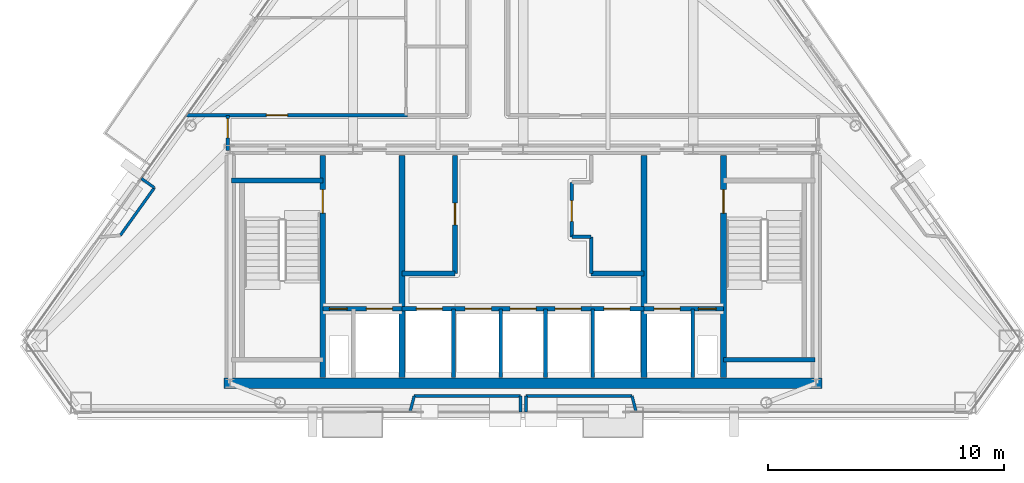
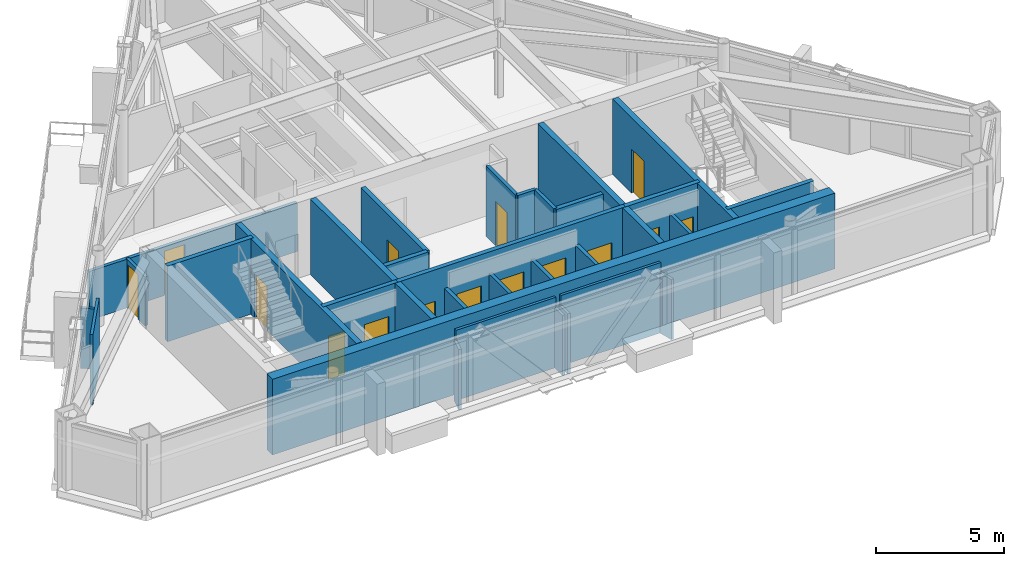
# One storey, part 8 of 12: 31 walls, 15 doors, 15 openings.
"""IFC4 building model written with IfcOpenShell, lengths in metres."""

from ifc_helpers import new_model, si_unit, direction, frame, frame_2d, origin, place, context, subcontext, project, spatial, rectangle, extrude, material, layer, layer_set, type_object, element, fill, save


model = new_model("IFC4")

# Units and contexts
model_context = context("Model", 3, precision=1e-05, world=origin(), true_north=direction((0.0, 1.0)))
body_context = subcontext(model_context, "Body", "Model", "MODEL_VIEW")
ifc_project = project(units=[si_unit("LENGTHUNIT", "METRE"), si_unit("AREAUNIT", "SQUARE_METRE"), si_unit("VOLUMEUNIT", "CUBIC_METRE"), si_unit("PLANEANGLEUNIT", "RADIAN"), si_unit("MASSUNIT", "GRAM", prefix="KILO")], contexts=[model_context])

# Site, building, storey
site_placement = place(None, origin())
site = spatial("IfcSite", under=ifc_project, at=site_placement, CompositionType="ELEMENT")
building_placement = place(site_placement, origin())
building = spatial("IfcBuilding", under=site, at=building_placement, Name="Talgorran Terracotta Tower", CompositionType="ELEMENT")
storey_placement = place(building_placement, frame((0.0, 0.0, 263.39990234375)))
storey = spatial("IfcBuildingStorey", under=building, at=storey_placement, Name="L69", CompositionType="ELEMENT", Elevation=263.39990234375)

# Walls
ifc_material_1 = material(Name="Concrete C50/60", Category="concrete")
ifc_layer_1 = layer(ifc_material_1, 0.199951171875, Name="WT_CORE_200")
ifc_layer_set_1 = layer_set([ifc_layer_1], Name="Concrete C50/60")
wall_type_1 = type_object("IfcWallType", Name="WT_CORE_200", PredefinedType="SOLIDWALL", material=ifc_layer_set_1)
for number, where, z_axis, x_axis, name in (
    (1, (-12.35009765625, -5.52001953125, 0.0), (0.0, 0.0, 1.0), (1.0, 0.0, 0.0), "WL-L69-CW-ST1-N"),
    (2, (8.47998046875, -13.10009765625, 0.0), (0.0, 0.0, 1.0), (1.0, 0.0, 0.0), "WL-L69-CW-ST2-S"),
):
    element("IfcWall", number, at=place(storey_placement, frame(where, z_axis=z_axis, x_axis=x_axis)), inside=storey, type_object=wall_type_1, Name=name, PredefinedType="SOLIDWALL", context=body_context, shape_type="SweptSolid", body=[
        extrude(rectangle(XDim=3.8701171875, YDim=0.199951171875, at=frame_2d((1.93505859375, 0.0))), origin(), (0.0, 0.0, 1.0), 3.60009765625),
    ])

# Wall, openings, doors
wall_1_placement = place(storey_placement, frame((-8.47998046875, -10.949951171875, 0.0), z_axis=(0.0, 0.0, 1.0), x_axis=(1.0, 0.0, 0.0)))
wall_1 = element("IfcWall", 3, at=wall_1_placement, inside=storey, type_object=wall_type_1, Name="WL-L69-CW-H-SBW", PredefinedType="SOLIDWALL", context=body_context, shape_type="SweptSolid", body=[
    extrude(rectangle(XDim=3.35986328125, YDim=0.199951171875, at=frame_2d((1.679931640625, 0.0))), origin(), (0.0, 0.0, 1.0), 3.60009765625),
])
opening_1_placement = place(wall_1_placement, frame((0.280029296875, 0.0, 0.0)))
opening_1 = element("IfcOpeningElement", 4, at=opening_1_placement, cuts=wall_1, Name="Opening DR-RSW", PredefinedType="OPENING", context=body_context, shape_type="SweptSolid", body=[
    extrude(rectangle(XDim=0.756, YDim=2.054048828125, at=frame_2d((0.375, 1.027099609375))), frame((0.0, 0.10986328125, 0.0), z_axis=(0.0, -1.0, 0.0), x_axis=(1.0, 0.0, 0.0)), (0.0, 0.0, 1.0), 0.219970703125),
])
opening_2_placement = place(wall_1_placement, frame((1.85009765625, 0.0, 0.0)))
opening_2 = element("IfcOpeningElement", 5, at=opening_2_placement, cuts=wall_1, Name="Opening LD-FFL1", PredefinedType="OPENING", context=body_context, shape_type="SweptSolid", body=[
    extrude(rectangle(XDim=1.10609765625, YDim=2.10409765625, at=frame_2d((0.550048828125, 1.052001953125))), frame((0.0, 0.10986328125, 0.0), z_axis=(0.0, -1.0, 0.0), x_axis=(1.0, 0.0, 0.0)), (0.0, 0.0, 1.0), 0.219970703125),
])
ifc_material_2 = material(Name="Brushed Stainless Steel Grade 304", Category="steel")
door_type_1 = type_object("IfcDoorType", Name="DT_LIFT_LD1100", OperationType="DOUBLE_DOOR_SLIDING", PredefinedType="DOOR", material=ifc_material_2)
door_1_placement = place(opening_2_placement, origin())
door_1 = element("IfcDoor", 6, at=door_1_placement, inside=storey, type_object=door_type_1, Name="L69 Lift Landing Door LD-FFL1", OperationType="DOUBLE_DOOR_SLIDING", OverallHeight=2.10009765625, OverallWidth=1.10009765625, PredefinedType="DOOR", context=body_context, shape_type="SweptSolid", body=[
    extrude(rectangle(XDim=1.10009765625, YDim=2.10009765625, at=frame_2d((0.550048828125, 1.050048828125))), frame((0.0, 0.02490234375, 0.0), z_axis=(0.0, -1.0, 0.0), x_axis=(1.0, 0.0, 0.0)), (0.0, 0.0, 1.0), 0.050048828125),
])
fill(opening_2, door_1)
ifc_material_3 = material(Name="Fire-Rated Pressed Steel", Category="steel")
door_type_2 = type_object("IfcDoorType", Name="DT_RISER_750", OperationType="NOTDEFINED", PredefinedType="DOOR", material=ifc_material_3)
door_2_placement = place(opening_1_placement, origin())
door_2 = element("IfcDoor", 7, at=door_2_placement, inside=storey, type_object=door_type_2, Name="DR-RSW", OperationType="SINGLE_SWING_LEFT", OverallHeight=2.050048828125, OverallWidth=0.75, PredefinedType="DOOR", context=body_context, shape_type="SweptSolid", body=[
    extrude(rectangle(XDim=0.75, YDim=2.050048828125, at=frame_2d((0.375, 1.02490234375))), frame((0.0, 0.02490234375, 0.0), z_axis=(0.0, -1.0, 0.0), x_axis=(1.0, 0.0, 0.0)), (0.0, 0.0, 1.0), 0.050048828125),
])
fill(opening_1, door_2)

wall_2_placement = place(storey_placement, frame((-5.1201171875, -10.949951171875, 0.0), z_axis=(0.0, 0.0, 1.0), x_axis=(1.0, 0.0, 0.0)))
wall_2 = element("IfcWall", 8, at=wall_2_placement, inside=storey, type_object=wall_type_1, Name="WL-L69-CW-H-SBC", PredefinedType="SOLIDWALL", context=body_context, shape_type="SweptSolid", body=[
    extrude(rectangle(XDim=10.240234375, YDim=0.199951171875, at=frame_2d((5.1201171875, 0.0))), origin(), (0.0, 0.0, 1.0), 3.60009765625),
])
opening_3_placement = place(wall_2_placement, frame((0.60009765625, 0.0, 0.0)))
opening_3 = element("IfcOpeningElement", 9, at=opening_3_placement, cuts=wall_2, Name="Opening LD-OB1", PredefinedType="OPENING", context=body_context, shape_type="SweptSolid", body=[
    extrude(rectangle(XDim=1.10609765625, YDim=2.10409765625, at=frame_2d((0.550048828125, 1.052001953125))), frame((0.0, 0.10986328125, 0.0), z_axis=(0.0, -1.0, 0.0), x_axis=(1.0, 0.0, 0.0)), (0.0, 0.0, 1.0), 0.219970703125),
])
opening_4_placement = place(wall_2_placement, frame((2.669921875, 0.0, 0.0)))
opening_4 = element("IfcOpeningElement", 10, at=opening_4_placement, cuts=wall_2, Name="Opening LD-PLH1", PredefinedType="OPENING", context=body_context, shape_type="SweptSolid", body=[
    extrude(rectangle(XDim=1.10609765625, YDim=2.10409765625, at=frame_2d((0.550048828125, 1.052001953125))), frame((0.0, 0.10986328125, 0.0), z_axis=(0.0, -1.0, 0.0), x_axis=(1.0, 0.0, 0.0)), (0.0, 0.0, 1.0), 0.219970703125),
])
opening_5_placement = place(wall_2_placement, frame((4.570068359375, 0.0, 0.0)))
opening_5 = element("IfcOpeningElement", 11, at=opening_5_placement, cuts=wall_2, Name="Opening LD-PLH2", PredefinedType="OPENING", context=body_context, shape_type="SweptSolid", body=[
    extrude(rectangle(XDim=1.10609765625, YDim=2.10409765625, at=frame_2d((0.550048828125, 1.052001953125))), frame((0.0, 0.10986328125, 0.0), z_axis=(0.0, -1.0, 0.0), x_axis=(1.0, 0.0, 0.0)), (0.0, 0.0, 1.0), 0.219970703125),
])
opening_6_placement = place(wall_2_placement, frame((6.469970703125, 0.0, 0.0)))
opening_6 = element("IfcOpeningElement", 12, at=opening_6_placement, cuts=wall_2, Name="Opening LD-PLH3", PredefinedType="OPENING", context=body_context, shape_type="SweptSolid", body=[
    extrude(rectangle(XDim=1.10609765625, YDim=2.10409765625, at=frame_2d((0.550048828125, 1.052001953125))), frame((0.0, 0.10986328125, 0.0), z_axis=(0.0, -1.0, 0.0), x_axis=(1.0, 0.0, 0.0)), (0.0, 0.0, 1.0), 0.219970703125),
])
opening_7_placement = place(wall_2_placement, frame((8.5400390625, 0.0, 0.0)))
opening_7 = element("IfcOpeningElement", 13, at=opening_7_placement, cuts=wall_2, Name="Opening LD-SVL1", PredefinedType="OPENING", context=body_context, shape_type="SweptSolid", body=[
    extrude(rectangle(XDim=1.10609765625, YDim=2.10409765625, at=frame_2d((0.550048828125, 1.052001953125))), frame((0.0, 0.10986328125, 0.0), z_axis=(0.0, -1.0, 0.0), x_axis=(1.0, 0.0, 0.0)), (0.0, 0.0, 1.0), 0.219970703125),
])
door_3_placement = place(opening_3_placement, origin())
door_3 = element("IfcDoor", 14, at=door_3_placement, inside=storey, type_object=door_type_1, Name="L69 Lift Landing Door LD-OB1", OperationType="DOUBLE_DOOR_SLIDING", OverallHeight=2.10009765625, OverallWidth=1.10009765625, PredefinedType="DOOR", context=body_context, shape_type="SweptSolid", body=[
    extrude(rectangle(XDim=1.10009765625, YDim=2.10009765625, at=frame_2d((0.550048828125, 1.050048828125))), frame((0.0, 0.02490234375, 0.0), z_axis=(0.0, -1.0, 0.0), x_axis=(1.0, 0.0, 0.0)), (0.0, 0.0, 1.0), 0.050048828125),
])
fill(opening_3, door_3)
door_4_placement = place(opening_4_placement, origin())
door_4 = element("IfcDoor", 15, at=door_4_placement, inside=storey, type_object=door_type_1, Name="L69 Lift Landing Door LD-PLH1", OperationType="DOUBLE_DOOR_SLIDING", OverallHeight=2.10009765625, OverallWidth=1.10009765625, PredefinedType="DOOR", context=body_context, shape_type="SweptSolid", body=[
    extrude(rectangle(XDim=1.10009765625, YDim=2.10009765625, at=frame_2d((0.550048828125, 1.050048828125))), frame((0.0, 0.02490234375, 0.0), z_axis=(0.0, -1.0, 0.0), x_axis=(1.0, 0.0, 0.0)), (0.0, 0.0, 1.0), 0.050048828125),
])
fill(opening_4, door_4)
door_5_placement = place(opening_5_placement, origin())
door_5 = element("IfcDoor", 16, at=door_5_placement, inside=storey, type_object=door_type_1, Name="L69 Lift Landing Door LD-PLH2", OperationType="DOUBLE_DOOR_SLIDING", OverallHeight=2.10009765625, OverallWidth=1.10009765625, PredefinedType="DOOR", context=body_context, shape_type="SweptSolid", body=[
    extrude(rectangle(XDim=1.10009765625, YDim=2.10009765625, at=frame_2d((0.550048828125, 1.050048828125))), frame((0.0, 0.02490234375, 0.0), z_axis=(0.0, -1.0, 0.0), x_axis=(1.0, 0.0, 0.0)), (0.0, 0.0, 1.0), 0.050048828125),
])
fill(opening_5, door_5)
door_6_placement = place(opening_6_placement, origin())
door_6 = element("IfcDoor", 17, at=door_6_placement, inside=storey, type_object=door_type_1, Name="L69 Lift Landing Door LD-PLH3", OperationType="DOUBLE_DOOR_SLIDING", OverallHeight=2.10009765625, OverallWidth=1.10009765625, PredefinedType="DOOR", context=body_context, shape_type="SweptSolid", body=[
    extrude(rectangle(XDim=1.10009765625, YDim=2.10009765625, at=frame_2d((0.550048828125, 1.050048828125))), frame((0.0, 0.02490234375, 0.0), z_axis=(0.0, -1.0, 0.0), x_axis=(1.0, 0.0, 0.0)), (0.0, 0.0, 1.0), 0.050048828125),
])
fill(opening_6, door_6)
door_7_placement = place(opening_7_placement, origin())
door_7 = element("IfcDoor", 18, at=door_7_placement, inside=storey, type_object=door_type_1, Name="L69 Lift Landing Door LD-SVL1", OperationType="DOUBLE_DOOR_SLIDING", OverallHeight=2.10009765625, OverallWidth=1.10009765625, PredefinedType="DOOR", context=body_context, shape_type="SweptSolid", body=[
    extrude(rectangle(XDim=1.10009765625, YDim=2.10009765625, at=frame_2d((0.550048828125, 1.050048828125))), frame((0.0, 0.02490234375, 0.0), z_axis=(0.0, -1.0, 0.0), x_axis=(1.0, 0.0, 0.0)), (0.0, 0.0, 1.0), 0.050048828125),
])
fill(opening_7, door_7)

wall_3_placement = place(storey_placement, frame((5.1201171875, -10.949951171875, 0.0), z_axis=(0.0, 0.0, 1.0), x_axis=(1.0, 0.0, 0.0)))
wall_3 = element("IfcWall", 19, at=wall_3_placement, inside=storey, type_object=wall_type_1, Name="WL-L69-CW-H-SBE", PredefinedType="SOLIDWALL", context=body_context, shape_type="SweptSolid", body=[
    extrude(rectangle(XDim=3.35986328125, YDim=0.199951171875, at=frame_2d((1.679931640625, 0.0))), origin(), (0.0, 0.0, 1.0), 3.60009765625),
])
opening_8_placement = place(wall_3_placement, frame((0.419921875, 0.0, 0.0)))
opening_8 = element("IfcOpeningElement", 20, at=opening_8_placement, cuts=wall_3, Name="Opening LD-FFL2", PredefinedType="OPENING", context=body_context, shape_type="SweptSolid", body=[
    extrude(rectangle(XDim=1.10609765625, YDim=2.10409765625, at=frame_2d((0.550048828125, 1.052001953125))), frame((0.0, 0.10986328125, 0.0), z_axis=(0.0, -1.0, 0.0), x_axis=(1.0, 0.0, 0.0)), (0.0, 0.0, 1.0), 0.219970703125),
])
opening_9_placement = place(wall_3_placement, frame((2.300048828125, 0.0, 0.0)))
opening_9 = element("IfcOpeningElement", 21, at=opening_9_placement, cuts=wall_3, Name="Opening DR-RSE", PredefinedType="OPENING", context=body_context, shape_type="SweptSolid", body=[
    extrude(rectangle(XDim=0.756, YDim=2.054048828125, at=frame_2d((0.375, 1.027099609375))), frame((0.0, 0.10986328125, 0.0), z_axis=(0.0, -1.0, 0.0), x_axis=(1.0, 0.0, 0.0)), (0.0, 0.0, 1.0), 0.219970703125),
])
door_8_placement = place(opening_8_placement, origin())
door_8 = element("IfcDoor", 22, at=door_8_placement, inside=storey, type_object=door_type_1, Name="L69 Lift Landing Door LD-FFL2", OperationType="DOUBLE_DOOR_SLIDING", OverallHeight=2.10009765625, OverallWidth=1.10009765625, PredefinedType="DOOR", context=body_context, shape_type="SweptSolid", body=[
    extrude(rectangle(XDim=1.10009765625, YDim=2.10009765625, at=frame_2d((0.550048828125, 1.050048828125))), frame((0.0, 0.02490234375, 0.0), z_axis=(0.0, -1.0, 0.0), x_axis=(1.0, 0.0, 0.0)), (0.0, 0.0, 1.0), 0.050048828125),
])
fill(opening_8, door_8)
door_9_placement = place(opening_9_placement, origin())
door_9 = element("IfcDoor", 23, at=door_9_placement, inside=storey, type_object=door_type_2, Name="DR-RSE", OperationType="SINGLE_SWING_RIGHT", OverallHeight=2.050048828125, OverallWidth=0.75, PredefinedType="DOOR", context=body_context, shape_type="SweptSolid", body=[
    extrude(rectangle(XDim=0.75, YDim=2.050048828125, at=frame_2d((0.375, 1.02490234375))), frame((0.0, 0.02490234375, 0.0), z_axis=(0.0, -1.0, 0.0), x_axis=(1.0, 0.0, 0.0)), (0.0, 0.0, 1.0), 0.050048828125),
])
fill(opening_9, door_9)

# Wall, opening, door
wall_4_placement = place(storey_placement, frame((-2.8798828125, -9.449951171875, 0.0), z_axis=(0.0, 0.0, 1.0), x_axis=(0.0, 1.0, 0.0)))
wall_4 = element("IfcWall", 24, at=wall_4_placement, inside=storey, type_object=wall_type_1, Name="WL-L69-CW-V-W3", PredefinedType="SOLIDWALL", context=body_context, shape_type="SweptSolid", body=[
    extrude(rectangle(XDim=5.0, YDim=0.199951171875, at=frame_2d((2.5, 0.0))), origin(), (0.0, 0.0, 1.0), 3.34521484375),
])
opening_10_placement = place(wall_4_placement, frame((2.050048828125, 0.0, 0.0)))
opening_10 = element("IfcOpeningElement", 25, at=opening_10_placement, cuts=wall_4, Name="Opening DR-FRPLL-A", PredefinedType="OPENING", context=body_context, shape_type="SweptSolid", body=[
    extrude(rectangle(XDim=0.925921875, YDim=2.10409765625, at=frame_2d((0.4599609375, 1.052001953125))), frame((0.0, 0.10986328125, 0.0), z_axis=(0.0, -1.0, 0.0), x_axis=(1.0, 0.0, 0.0)), (0.0, 0.0, 1.0), 0.219970703125),
])
ifc_material_4 = material(Name="Solid-Core Painted Timber", Category="wood")
door_type_3 = type_object("IfcDoorType", Name="DT_INT_920", OperationType="NOTDEFINED", PredefinedType="DOOR", material=ifc_material_4)
door_10_placement = place(opening_10_placement, origin())
door_10 = element("IfcDoor", 26, at=door_10_placement, inside=storey, type_object=door_type_3, Name="DR-FRPLL-A", OperationType="SINGLE_SWING_LEFT", OverallHeight=2.10009765625, OverallWidth=0.919921875, PredefinedType="DOOR", context=body_context, shape_type="SweptSolid", body=[
    extrude(rectangle(XDim=0.919921875, YDim=2.10009765625, at=frame_2d((0.4599609375, 1.050048828125))), frame((0.0, 0.02490234375, 0.0), z_axis=(0.0, -1.0, 0.0), x_axis=(1.0, 0.0, 0.0)), (0.0, 0.0, 1.0), 0.050048828125),
])
fill(opening_10, door_10)

# Walls
for number, where, z_axis, x_axis, name in (
    (27, (-5.1201171875, -9.449951171875, 0.0), (0.0, 0.0, 1.0), (1.0, 0.0, 0.0), "WL-L69-CW-H-W4"),
    (28, (2.8798828125, -9.449951171875, 0.0), (0.0, 0.0, 1.0), (1.0, 0.0, 0.0), "WL-L69-CW-H-E4"),
):
    element("IfcWall", number, at=place(storey_placement, frame(where, z_axis=z_axis, x_axis=x_axis)), inside=storey, type_object=wall_type_1, Name=name, PredefinedType="SOLIDWALL", context=body_context, shape_type="SweptSolid", body=[
        extrude(rectangle(XDim=2.240234375, YDim=0.199951171875, at=frame_2d((1.1201171875, 0.0))), origin(), (0.0, 0.0, 1.0), 3.34521484375),
    ])

# Wall, opening, door
ifc_layer_2 = layer(ifc_material_1, 0.25, Name="WT_CORE_250")
ifc_layer_set_2 = layer_set([ifc_layer_2], Name="Concrete C50/60")
wall_type_2 = type_object("IfcWallType", Name="WT_CORE_250", PredefinedType="SHEAR", material=ifc_layer_set_2)
wall_5_placement = place(storey_placement, frame((-8.47998046875, -13.85009765625, 0.0), z_axis=(0.0, 0.0, 1.0), x_axis=(0.0, 1.0, 0.0)))
wall_5 = element("IfcWall", 29, at=wall_5_placement, inside=storey, type_object=wall_type_2, Name="WL-L69-CW-V-W1", PredefinedType="SHEAR", context=body_context, shape_type="SweptSolid", body=[
    extrude(rectangle(XDim=9.400146484375, YDim=0.25, at=frame_2d((4.7001953125, 0.0))), origin(), (0.0, 0.0, 1.0), 3.60009765625),
])
opening_11_placement = place(wall_5_placement, frame((6.949951171875, 0.0, 0.0)))
opening_11 = element("IfcOpeningElement", 30, at=opening_11_placement, cuts=wall_5, Name="Opening DR-ST01", PredefinedType="OPENING", context=body_context, shape_type="SweptSolid", body=[
    extrude(rectangle(XDim=1.006, YDim=2.10409765625, at=frame_2d((0.5, 1.052001953125))), frame((0.0, 0.135009765625, 0.0), z_axis=(0.0, -1.0, 0.0), x_axis=(1.0, 0.0, 0.0)), (0.0, 0.0, 1.0), 0.27001953125),
])
door_type_4 = type_object("IfcDoorType", Name="DT_FIRE_1000", OperationType="NOTDEFINED", PredefinedType="DOOR", material=ifc_material_3)
door_11_placement = place(opening_11_placement, origin())
door_11 = element("IfcDoor", 31, at=door_11_placement, inside=storey, type_object=door_type_4, Name="DR-ST01", OperationType="SINGLE_SWING_LEFT", OverallHeight=2.10009765625, OverallWidth=1.0, PredefinedType="DOOR", context=body_context, shape_type="SweptSolid", body=[
    extrude(rectangle(XDim=1.0, YDim=2.10009765625, at=frame_2d((0.5, 1.050048828125))), frame((0.0, 0.02490234375, 0.0), z_axis=(0.0, -1.0, 0.0), x_axis=(1.0, 0.0, 0.0)), (0.0, 0.0, 1.0), 0.050048828125),
])
fill(opening_11, door_11)

wall_6_placement = place(storey_placement, frame((8.47998046875, -13.85009765625, 0.0), z_axis=(0.0, 0.0, 1.0), x_axis=(0.0, 1.0, 0.0)))
wall_6 = element("IfcWall", 32, at=wall_6_placement, inside=storey, type_object=wall_type_2, Name="WL-L69-CW-V-E1", PredefinedType="SHEAR", context=body_context, shape_type="SweptSolid", body=[
    extrude(rectangle(XDim=9.400146484375, YDim=0.25, at=frame_2d((4.7001953125, 0.0))), origin(), (0.0, 0.0, 1.0), 3.60009765625),
])
opening_12_placement = place(wall_6_placement, frame((6.949951171875, 0.0, 0.0)))
opening_12 = element("IfcOpeningElement", 33, at=opening_12_placement, cuts=wall_6, Name="Opening DR-ST02", PredefinedType="OPENING", context=body_context, shape_type="SweptSolid", body=[
    extrude(rectangle(XDim=1.006, YDim=2.10409765625, at=frame_2d((0.5, 1.052001953125))), frame((0.0, 0.135009765625, 0.0), z_axis=(0.0, -1.0, 0.0), x_axis=(1.0, 0.0, 0.0)), (0.0, 0.0, 1.0), 0.27001953125),
])
door_12_placement = place(opening_12_placement, origin())
door_12 = element("IfcDoor", 34, at=door_12_placement, inside=storey, type_object=door_type_4, Name="DR-ST02", OperationType="SINGLE_SWING_RIGHT", OverallHeight=2.10009765625, OverallWidth=1.0, PredefinedType="DOOR", context=body_context, shape_type="SweptSolid", body=[
    extrude(rectangle(XDim=1.0, YDim=2.10009765625, at=frame_2d((0.5, 1.050048828125))), frame((0.0, 0.02490234375, 0.0), z_axis=(0.0, -1.0, 0.0), x_axis=(1.0, 0.0, 0.0)), (0.0, 0.0, 1.0), 0.050048828125),
])
fill(opening_12, door_12)

# Walls
for number, where, z_axis, x_axis, name in (
    (35, (-5.1201171875, -13.85009765625, 0.0), (0.0, 0.0, 1.0), (0.0, 1.0, 0.0), "WL-L69-CW-V-W2"),
    (36, (5.1201171875, -13.85009765625, 0.0), (0.0, 0.0, 1.0), (0.0, 1.0, 0.0), "WL-L69-CW-V-E2"),
):
    element("IfcWall", number, at=place(storey_placement, frame(where, z_axis=z_axis, x_axis=x_axis)), inside=storey, type_object=wall_type_2, Name=name, PredefinedType="SHEAR", context=body_context, shape_type="SweptSolid", body=[
        extrude(rectangle(XDim=9.400146484375, YDim=0.25, at=frame_2d((4.7001953125, 0.0))), origin(), (0.0, 0.0, 1.0), 3.60009765625),
    ])
ifc_material_5 = material(Name="Concrete C65/80", Category="concrete")
ifc_layer_3 = layer(ifc_material_5, 0.449951171875, Name="WT_CORE_EXT")
ifc_layer_set_3 = layer_set([ifc_layer_3], Name="Concrete C65/80")
wall_type_3 = type_object("IfcWallType", Name="WT_CORE_EXT", PredefinedType="SHEAR", material=ifc_layer_set_3)
wall_7_placement = place(storey_placement, frame((-12.64990234375, -14.10009765625, 0.0), z_axis=(0.0, 0.0, 1.0), x_axis=(1.0, 0.0, 0.0)))
element("IfcWall", 37, at=wall_7_placement, inside=storey, type_object=wall_type_3, Name="WL-L69-CW-OUT-S", PredefinedType="SHEAR", context=body_context, shape_type="SweptSolid", body=[
    extrude(rectangle(XDim=25.2998046875, YDim=0.449951171875, at=frame_2d((12.64990234375, 0.0))), origin(), (0.0, 0.0, 1.0), 3.60009765625),
])
ifc_material_6 = material(Name="Fire-Rated Steel Stud Plasterboard", Category="steel")
ifc_layer_4 = layer(ifc_material_6, 0.14990234375, Name="WT_FIRE_150")
ifc_layer_set_4 = layer_set([ifc_layer_4], Name="Fire-Rated Steel Stud Plasterboard")
wall_type_4 = type_object("IfcWallType", Name="WT_FIRE_150", PredefinedType="PARTITIONING", material=ifc_layer_set_4)
wall_8_placement = place(storey_placement, frame((2.8798828125, -9.449951171875, 0.0), z_axis=(0.0, 0.0, 1.0), x_axis=(0.0, 1.0, 0.0)))
element("IfcWall", 38, at=wall_8_placement, inside=storey, type_object=wall_type_4, Name="WL-L69-CW-V-E3A", PredefinedType="PARTITIONING", context=body_context, shape_type="SweptSolid", body=[
    extrude(rectangle(XDim=1.550048828125, YDim=0.14990234375, at=frame_2d((0.77490234375, 0.0))), origin(), (0.0, 0.0, 1.0), 3.34521484375),
])
wall_9_placement = place(storey_placement, frame((2.06005859375, -7.89990234375, 0.0), z_axis=(0.0, 0.0, 1.0), x_axis=(1.0, 0.0, 0.0)))
element("IfcWall", 39, at=wall_9_placement, inside=storey, type_object=wall_type_4, Name="WL-L69-CW-H-E3B", PredefinedType="PARTITIONING", context=body_context, shape_type="SweptSolid", body=[
    extrude(rectangle(XDim=0.81982421875, YDim=0.14990234375, at=frame_2d((0.409912109375, 0.0))), origin(), (0.0, 0.0, 1.0), 3.34521484375),
])

# Wall, opening, door
wall_10_placement = place(storey_placement, frame((2.06005859375, -7.89990234375, 0.0), z_axis=(0.0, 0.0, 1.0), x_axis=(0.0, 1.0, 0.0)))
wall_10 = element("IfcWall", 40, at=wall_10_placement, inside=storey, type_object=wall_type_4, Name="WL-L69-CW-V-E3C", PredefinedType="PARTITIONING", context=body_context, shape_type="SweptSolid", body=[
    extrude(rectangle(XDim=2.2998046875, YDim=0.14990234375, at=frame_2d((1.14990234375, 0.0))), origin(), (0.0, 0.0, 1.0), 3.34521484375),
])
opening_13_placement = place(wall_10_placement, frame((0.64990234375, 0.0, 0.0)))
opening_13 = element("IfcOpeningElement", 41, at=opening_13_placement, cuts=wall_10, Name="Opening DR-FRPLM-B", PredefinedType="OPENING", context=body_context, shape_type="SweptSolid", body=[
    extrude(rectangle(XDim=0.8858828125, YDim=2.10409765625, at=frame_2d((0.43994140625, 1.052001953125))), frame((0.0, 0.0849609375, 0.0), z_axis=(0.0, -1.0, 0.0), x_axis=(1.0, 0.0, 0.0)), (0.0, 0.0, 1.0), 0.169921875),
])
door_type_5 = type_object("IfcDoorType", Name="DT_INT_880", OperationType="NOTDEFINED", PredefinedType="DOOR", material=ifc_material_4)
door_13_placement = place(opening_13_placement, origin())
door_13 = element("IfcDoor", 42, at=door_13_placement, inside=storey, type_object=door_type_5, Name="DR-FRPLM-B", OperationType="SINGLE_SWING_RIGHT", OverallHeight=2.10009765625, OverallWidth=0.8798828125, PredefinedType="DOOR", context=body_context, shape_type="SweptSolid", body=[
    extrude(rectangle(XDim=0.8798828125, YDim=2.10009765625, at=frame_2d((0.43994140625, 1.050048828125))), frame((0.0, 0.02490234375, 0.0), z_axis=(0.0, -1.0, 0.0), x_axis=(1.0, 0.0, 0.0)), (0.0, 0.0, 1.0), 0.050048828125),
])
fill(opening_13, door_13)

wall_11_placement = place(storey_placement, frame((-14.251220703125, -2.760009765625, 0.0), z_axis=(0.0, 0.0, 1.0), x_axis=(1.0, 0.0, 0.0)))
wall_11 = element("IfcWall", 43, at=wall_11_placement, inside=storey, type_object=wall_type_4, Name="WL-L69-W-L69-R06", PredefinedType="PARTITIONING", context=body_context, shape_type="SweptSolid", body=[
    extrude(rectangle(XDim=9.351318359375, YDim=0.14990234375, at=frame_2d((4.67578125, 0.0))), origin(), (0.0, 0.0, 1.0), 2.320068359375),
])
opening_14_placement = place(wall_11_placement, frame((3.386474609375, 0.0, 0.0)))
opening_14 = element("IfcOpeningElement", 44, at=opening_14_placement, cuts=wall_11, Name="Opening DR-L69-R05", PredefinedType="OPENING", context=body_context, shape_type="SweptSolid", body=[
    extrude(rectangle(XDim=0.90590234375, YDim=2.10409765625, at=frame_2d((0.449951171875, 1.052001953125))), frame((0.0, 0.0849609375, 0.0), z_axis=(0.0, -1.0, 0.0), x_axis=(1.0, 0.0, 0.0)), (0.0, 0.0, 1.0), 0.169921875),
])
ifc_material_7 = material(Name="Fire-Rated Timber Core", Category="wood")
door_type_6 = type_object("IfcDoorType", Name="DT_FIRE_900", OperationType="NOTDEFINED", PredefinedType="DOOR", material=ifc_material_7)
door_14_placement = place(opening_14_placement, origin())
door_14 = element("IfcDoor", 45, at=door_14_placement, inside=storey, type_object=door_type_6, Name="DR-L69-R05", OperationType="SINGLE_SWING_LEFT", OverallHeight=2.10009765625, OverallWidth=0.89990234375, PredefinedType="DOOR", context=body_context, shape_type="SweptSolid", body=[
    extrude(rectangle(XDim=0.89990234375, YDim=2.10009765625, at=frame_2d((0.449951171875, 1.050048828125))), frame((0.0, 0.02490234375, 0.0), z_axis=(0.0, -1.0, 0.0), x_axis=(1.0, 0.0, 0.0)), (0.0, 0.0, 1.0), 0.050048828125),
])
fill(opening_14, door_14)

wall_12_placement = place(storey_placement, frame((-12.5, -4.239990234375, 0.0), z_axis=(0.0, 0.0, 1.0), x_axis=(0.0, 1.0, 0.0)))
wall_12 = element("IfcWall", 46, at=wall_12_placement, inside=storey, type_object=wall_type_4, Name="WL-L69-W-L69-R01", PredefinedType="PARTITIONING", context=body_context, shape_type="SweptSolid", body=[
    extrude(rectangle(XDim=1.47998046875, YDim=0.14990234375, at=frame_2d((0.739990234375, 0.0))), origin(), (0.0, 0.0, 1.0), 2.320068359375),
])
opening_15_placement = place(wall_12_placement, frame((0.521728515625, 0.0, 0.0)))
opening_15 = element("IfcOpeningElement", 47, at=opening_15_placement, cuts=wall_12, Name="Opening DR-L69-R01", PredefinedType="OPENING", context=body_context, shape_type="SweptSolid", body=[
    extrude(rectangle(XDim=0.826068359375, YDim=2.10409765625, at=frame_2d((0.41015625, 1.052001953125))), frame((0.0, 0.0849609375, 0.0), z_axis=(0.0, -1.0, 0.0), x_axis=(1.0, 0.0, 0.0)), (0.0, 0.0, 1.0), 0.169921875),
])
ifc_material_8 = material(Name="Moisture-Resistant Solid Timber", Category="wood")
door_type_7 = type_object("IfcDoorType", Name="DT_INT_820", OperationType="NOTDEFINED", PredefinedType="DOOR", material=ifc_material_8)
door_15_placement = place(opening_15_placement, origin())
door_15 = element("IfcDoor", 48, at=door_15_placement, inside=storey, type_object=door_type_7, Name="DR-L69-R01", OperationType="SINGLE_SWING_LEFT", OverallHeight=2.10009765625, OverallWidth=0.820068359375, PredefinedType="DOOR", context=body_context, shape_type="SweptSolid", body=[
    extrude(rectangle(XDim=0.820068359375, YDim=2.10009765625, at=frame_2d((0.41015625, 1.050048828125))), frame((0.0, 0.02490234375, 0.0), z_axis=(0.0, -1.0, 0.0), x_axis=(1.0, 0.0, 0.0)), (0.0, 0.0, 1.0), 0.050048828125),
])
fill(opening_15, door_15)

# Walls
ifc_material_9 = material(Name="Insulated Steel Stud Plasterboard", Category="steel")
ifc_layer_5 = layer(ifc_material_9, 0.1201171875, Name="WT_PART_120")
ifc_layer_set_5 = layer_set([ifc_layer_5], Name="Insulated Steel Stud Plasterboard")
wall_type_5 = type_object("IfcWallType", Name="WT_PART_120", PredefinedType="PARTITIONING", material=ifc_layer_set_5)
for number, where, z_axis, x_axis, name in (
    (49, (-4.60888671875, -14.638916015625, 0.0), (0.0, 0.0, 1.0), (1.0, 0.0, 0.0), "WL-L69-BW-L69-01"),
    (50, (0.115966796875, -14.638916015625, 0.0), (0.0, 0.0, 1.0), (1.0, 0.0, 0.0), "WL-L69-BW-L69-06"),
):
    element("IfcWall", number, at=place(storey_placement, frame(where, z_axis=z_axis, x_axis=x_axis)), inside=storey, type_object=wall_type_5, Name=name, PredefinedType="PARTITIONING", context=body_context, shape_type="SweptSolid", body=[
        extrude(rectangle(XDim=4.492919921875, YDim=0.1201171875, at=frame_2d((2.24658203125, 0.0))), origin(), (0.0, 0.0, 1.0), 3.34521484375),
    ])
wall_13_placement = place(storey_placement, frame((-15.6064453125, -5.823974609375, 0.0), z_axis=(0.0, 0.0, 1.0), x_axis=(-0.581685079242, -0.813414081872, 0.0)))
element("IfcWall", 51, at=wall_13_placement, inside=storey, type_object=wall_type_5, Name="WL-L69-BW-L69-08", PredefinedType="PARTITIONING", context=body_context, shape_type="SweptSolid", body=[
    extrude(rectangle(XDim=2.47998046875, YDim=0.1201171875, at=frame_2d((1.239990234375, 0.0))), origin(), (0.0, 0.0, 1.0), 3.34521484375),
])
for number, where, z_axis, x_axis, name in (
    (52, (-4.783203125, -15.308837890625, 0.0), (0.0, 0.0, 1.0), (0.25181884621, 0.967774389356, 0.0), "WL-L69-BW-L69-03"),
    (53, (4.60888671875, -14.638916015625, 0.0), (0.0, 0.0, 1.0), (0.25181884621, -0.967774389356, 0.0), "WL-L69-BW-L69-04"),
):
    element("IfcWall", number, at=place(storey_placement, frame(where, z_axis=z_axis, x_axis=x_axis)), inside=storey, type_object=wall_type_5, Name=name, PredefinedType="PARTITIONING", context=body_context, shape_type="SweptSolid", body=[
        extrude(rectangle(XDim=0.692138671875, YDim=0.1201171875, at=frame_2d((0.34619140625, 0.0))), origin(), (0.0, 0.0, 1.0), 2.863037109375),
    ])
for number, where, z_axis, x_axis, name in (
    (54, (-0.115966796875, -14.638916015625, 0.0), (0.0, 0.0, 1.0), (0.0, -1.0, 0.0), "WL-L69-BW-L69-02"),
    (55, (0.115966796875, -15.308837890625, 0.0), (0.0, 0.0, 1.0), (0.0, 1.0, 0.0), "WL-L69-BW-L69-05"),
    (56, (-16.1513671875, -5.43408203125, 0.0), (0.0, 0.0, 1.0), (0.813265440227, -0.581892879947, 0.0), "WL-L69-BW-L69-07"),
):
    element("IfcWall", number, at=place(storey_placement, frame(where, z_axis=z_axis, x_axis=x_axis)), inside=storey, type_object=wall_type_5, Name=name, PredefinedType="PARTITIONING", context=body_context, shape_type="SweptSolid", body=[
        extrude(rectangle(XDim=0.669921875, YDim=0.1201171875, at=frame_2d((0.3349609375, 0.0))), origin(), (0.0, 0.0, 1.0), 2.863037109375),
    ])
ifc_material_10 = material(Name="Fire-Rated Shaftwall")
ifc_layer_6 = layer(ifc_material_10, 0.159912109375, Name="WT_PART_150")
ifc_layer_set_6 = layer_set([ifc_layer_6], Name="Fire-Rated Shaftwall")
wall_type_6 = type_object("IfcWallType", Name="WT_PART_150", PredefinedType="PARTITIONING", material=ifc_layer_set_6)
for number, where, z_axis, x_axis, name in (
    (57, (7.179931640625, -13.85009765625, 0.0), (0.0, 0.0, 1.0), (0.0, 1.0, 0.0), "WL-L69-CW-RSE"),
    (58, (-2.949951171875, -13.85009765625, 0.0), (0.0, 0.0, 1.0), (0.0, 1.0, 0.0), "WL-L69-CW-OB-E"),
    (59, (2.949951171875, -13.85009765625, 0.0), (0.0, 0.0, 1.0), (0.0, 1.0, 0.0), "WL-L69-CW-SV-W"),
    (60, (-0.949951171875, -13.85009765625, 0.0), (0.0, 0.0, 1.0), (0.0, 1.0, 0.0), "WL-L69-CW-PLH-D1"),
    (61, (0.949951171875, -13.85009765625, 0.0), (0.0, 0.0, 1.0), (0.0, 1.0, 0.0), "WL-L69-CW-PLH-D2"),
):
    element("IfcWall", number, at=place(storey_placement, frame(where, z_axis=z_axis, x_axis=x_axis)), inside=storey, type_object=wall_type_6, Name=name, PredefinedType="PARTITIONING", context=body_context, shape_type="SweptSolid", body=[
        extrude(rectangle(XDim=2.900146484375, YDim=0.159912109375, at=frame_2d((1.4501953125, 0.0))), origin(), (0.0, 0.0, 1.0), 2.570068359375),
    ])

save(model, "model.ifc")
